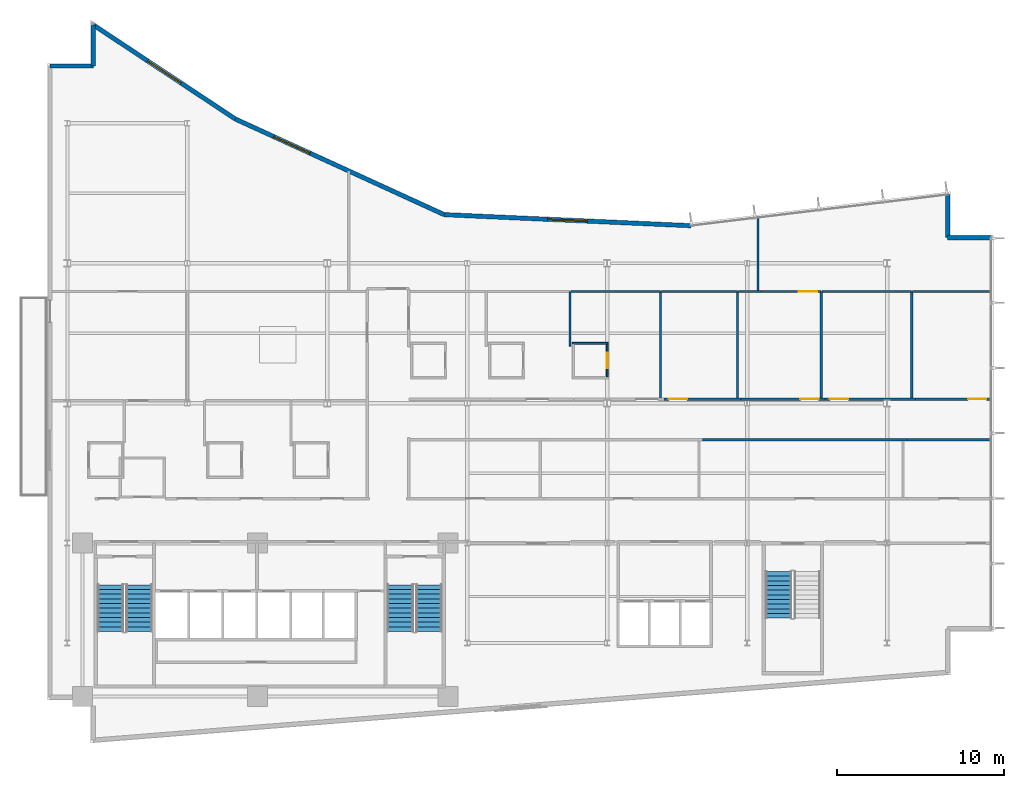
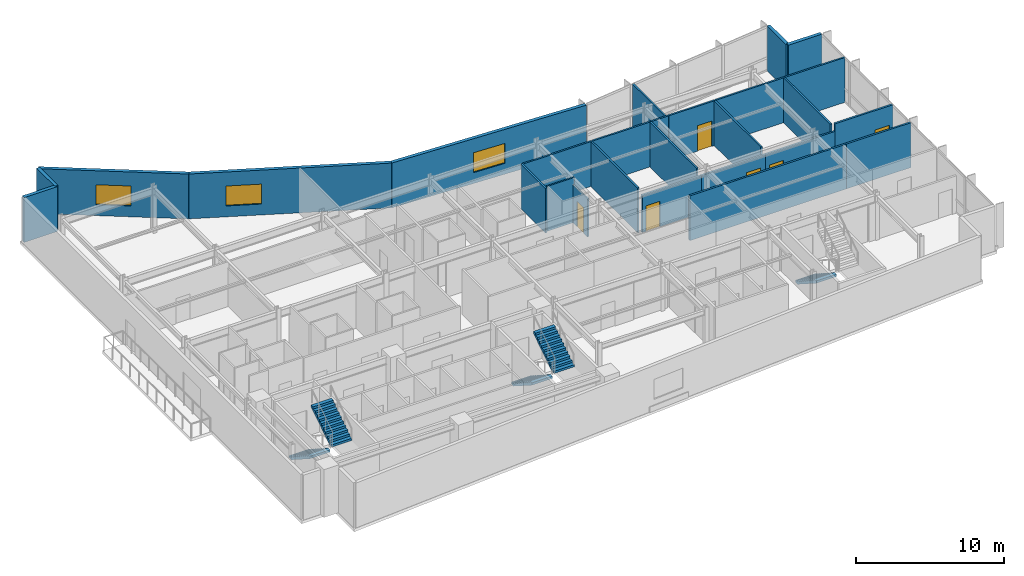
# One storey, part 13 of 19: 27 walls, 6 doors, 5 stair flights, 3 windows, 9 openings, 3 elements without a shape of their own.
"""IFC4 building model written with IfcOpenShell, lengths in metres."""

from ifc_helpers import new_model, si_unit, direction, frame, frame_2d, origin, place, context, subcontext, project, spatial, polyline, rectangle, outline, extrude, material, layer, layer_set, type_object, element, fill, aggregate, save


model = new_model("IFC4")

# Units and contexts
model_context = context("Model", 3, precision=1e-05, world=origin(), true_north=direction((0.0, 1.0)))
body_context = subcontext(model_context, "Body", "Model", "MODEL_VIEW")
ifc_project = project(units=[si_unit("LENGTHUNIT", "METRE"), si_unit("AREAUNIT", "SQUARE_METRE"), si_unit("VOLUMEUNIT", "CUBIC_METRE"), si_unit("PLANEANGLEUNIT", "RADIAN"), si_unit("MASSUNIT", "GRAM", prefix="KILO")], contexts=[model_context])

# Site, building, storey
site_placement = place(None, origin())
site = spatial("IfcSite", under=ifc_project, at=site_placement, CompositionType="ELEMENT")
building_placement = place(site_placement, origin())
building = spatial("IfcBuilding", under=site, at=building_placement, Name="Varnakote Quay Hospital", CompositionType="ELEMENT")
storey_placement = place(building_placement, frame((0.0, 0.0, 115.199951171875)))
storey = spatial("IfcBuildingStorey", under=building, at=storey_placement, Name="L28", CompositionType="ELEMENT", Elevation=115.199951171875)

# Wall
ifc_material_1 = material(Name="Moisture-resistant bathroom partition", Category="gypsum")
ifc_layer_1 = layer(ifc_material_1, 0.114990234375)
ifc_layer_set_1 = layer_set([ifc_layer_1], Name="Moisture-resistant bathroom partition")
wall_type_1 = type_object("IfcWallType", Name="WL-ENS-115", PredefinedType="PARTITIONING", material=ifc_layer_set_1)
wall_1_placement = place(storey_placement, frame((31.514892578125, 23.987548828125, 0.0), z_axis=(0.0, 0.0, 1.0), x_axis=(1.0, 0.0, 0.0)))
element("IfcWall", 1, at=wall_1_placement, inside=storey, type_object=wall_type_1, Name="L28 Inpatient En-Suite Bathroom 06 N Wall", PredefinedType="PARTITIONING", context=body_context, shape_type="SweptSolid", body=[
    extrude(rectangle(XDim=2.150146484375, YDim=0.114990234375, at=frame_2d((1.0751953125, 0.0))), origin(), (0.0, 0.0, 1.0), 3.7099609375),
])

# Wall, opening, door
wall_2_placement = place(storey_placement, frame((33.607421875, 21.97998046875, 0.0), z_axis=(0.0, 0.0, 1.0), x_axis=(0.0, 1.0, 0.0)))
wall_2 = element("IfcWall", 2, at=wall_2_placement, inside=storey, type_object=wall_type_1, Name="L28 Inpatient En-Suite Bathroom 06 E Wall", PredefinedType="PARTITIONING", context=body_context, shape_type="SweptSolid", body=[
    extrude(rectangle(XDim=1.949951171875, YDim=0.114990234375, at=frame_2d((0.97509765625, 0.0))), origin(), (0.0, 0.0, 1.0), 3.152099609375),
])
opening_1_placement = place(wall_2_placement, frame((0.514892578125, 0.0, 0.0)))
opening_1 = element("IfcOpeningElement", 3, at=opening_1_placement, cuts=wall_2, Name="Opening D-L28-ENS06", PredefinedType="OPENING", context=body_context, shape_type="SweptSolid", body=[
    extrude(rectangle(XDim=0.919921875, YDim=2.10009765625, at=frame_2d((0.4599609375, 1.050048828125))), frame((0.0, 0.0673828125, 0.0), z_axis=(0.0, -1.0, 0.0), x_axis=(1.0, 0.0, 0.0)), (0.0, 0.0, 1.0), 0.135009765625),
])
ifc_material_2 = material(Name="Moisture-sealed en-suite bathroom door")
door_type_1 = type_object("IfcDoorType", Name="DR-ENS-920x2100", OperationType="NOTDEFINED", PredefinedType="DOOR", material=ifc_material_2)
door_1_placement = place(opening_1_placement, origin())
door_1 = element("IfcDoor", 4, at=door_1_placement, inside=storey, type_object=door_type_1, Name="L28 Inpatient En-Suite Bathroom 06 Door", OperationType="SINGLE_SWING_RIGHT", OverallHeight=2.10009765625, OverallWidth=0.919921875, PredefinedType="DOOR", context=body_context, shape_type="SweptSolid", body=[
    extrude(rectangle(XDim=0.919921875, YDim=2.10009765625, at=frame_2d((0.4599609375, 1.050048828125))), frame((0.0, 0.02490234375, 0.0), z_axis=(0.0, -1.0, 0.0), x_axis=(1.0, 0.0, 0.0)), (0.0, 0.0, 1.0), 0.050048828125),
])
fill(opening_1, door_1)

# Walls
ifc_material_3 = material(Name="Precast concrete N50 (f'c 50 MPa)", Category="concrete")
ifc_layer_2 = layer(ifc_material_3, 0.260009765625)
ifc_layer_set_2 = layer_set([ifc_layer_2], Name="Precast concrete N50 (f'c 50 MPa)")
wall_type_2 = type_object("IfcWallType", Name="WL-EXT-BRICK-260", PredefinedType="STANDARD", material=ifc_layer_set_2)
wall_3_placement = place(storey_placement, frame((56.639892578125, 30.340087890625, 0.0), z_axis=(0.0, 0.0, 1.0), x_axis=(-1.0, 0.0, 0.0)))
element("IfcWall", 5, at=wall_3_placement, inside=storey, type_object=wall_type_2, Name="L28 Brick-Faced Precast Exterior Wall", PredefinedType="STANDARD", context=body_context, shape_type="SweptSolid", body=[
    extrude(rectangle(XDim=2.599853515625, YDim=0.260009765625, at=frame_2d((1.2998046875, 0.0))), origin(), (0.0, 0.0, 1.0), 3.7099609375),
])
wall_4_placement = place(storey_placement, frame((54.0400390625, 30.340087890625, 0.0), z_axis=(0.0, 0.0, 1.0), x_axis=(0.0, 1.0, 0.0)))
element("IfcWall", 6, at=wall_4_placement, inside=storey, type_object=wall_type_2, Name="L28 Brick-Faced Precast Exterior Wall", PredefinedType="STANDARD", context=body_context, shape_type="SweptSolid", body=[
    extrude(rectangle(XDim=2.579345703125, YDim=0.260009765625, at=frame_2d((1.28955078125, 0.0))), origin(), (0.0, 0.0, 1.0), 3.7099609375),
])

# Wall, opening, window
wall_5_placement = place(storey_placement, frame((38.630126953125, 31.051513671875, 0.0), z_axis=(0.0, 0.0, 1.0), x_axis=(-0.998996592956, 0.044786239663, 0.0)))
wall_5 = element("IfcWall", 7, at=wall_5_placement, inside=storey, type_object=wall_type_2, Name="L28 Brick-Faced Precast Exterior Wall", PredefinedType="STANDARD", context=body_context, shape_type="SweptSolid", body=[
    extrude(rectangle(XDim=14.827392578125, YDim=0.260009765625, at=frame_2d((7.41357421875, 0.0))), origin(), (0.0, 0.0, 1.0), 3.7099609375),
])
opening_2_placement = place(wall_5_placement, frame((6.213623046875, 0.0, 0.89990234375)))
opening_2 = element("IfcOpeningElement", 8, at=opening_2_placement, cuts=wall_5, Name="Opening WN-0123", PredefinedType="OPENING", context=body_context, shape_type="SweptSolid", body=[
    extrude(rectangle(XDim=2.39990234375, YDim=1.64990234375, at=frame_2d((1.199951171875, 0.824951171875))), frame((0.0, 0.139892578125, 0.0), z_axis=(0.0, -1.0, 0.0), x_axis=(1.0, 0.0, 0.0)), (0.0, 0.0, 1.0), 0.280029296875),
])
ifc_material_4 = material(Name="Double-glazed low-E solar glass", Category="glass")
window_type = type_object("IfcWindowType", Name="WIN-CLIN-2400x1650", PartitioningType="SINGLE_PANEL", PredefinedType="WINDOW", material=ifc_material_4)
window_1_placement = place(opening_2_placement, origin())
window_1 = element("IfcWindow", 9, at=window_1_placement, inside=storey, type_object=window_type, Name="L28 Solar-Control Clinical Window", OverallHeight=1.64990234375, OverallWidth=2.39990234375, PartitioningType="SINGLE_PANEL", PredefinedType="WINDOW", context=body_context, shape_type="SweptSolid", body=[
    extrude(rectangle(XDim=2.39990234375, YDim=1.64990234375, at=frame_2d((1.199951171875, 0.824951171875))), frame((0.0, 0.030029296875, 0.0), z_axis=(0.0, -1.0, 0.0), x_axis=(1.0, 0.0, 0.0)), (0.0, 0.0, 1.0), 0.06005859375),
])
fill(opening_2, window_1)

wall_6_placement = place(storey_placement, frame((23.817626953125, 31.715576171875, 0.0), z_axis=(0.0, 0.0, 1.0), x_axis=(-0.909209527513, 0.416338846471, 0.0)))
wall_6 = element("IfcWall", 10, at=wall_6_placement, inside=storey, type_object=wall_type_2, Name="L28 Brick-Faced Precast Exterior Wall", PredefinedType="STANDARD", context=body_context, shape_type="SweptSolid", body=[
    extrude(rectangle(XDim=13.787353515625, YDim=0.260009765625, at=frame_2d((6.8935546875, 0.0))), origin(), (0.0, 0.0, 1.0), 3.7099609375),
])
opening_3_placement = place(wall_6_placement, frame((8.853515625, 0.0, 0.89990234375)))
opening_3 = element("IfcOpeningElement", 11, at=opening_3_placement, cuts=wall_6, Name="Opening WN-0124", PredefinedType="OPENING", context=body_context, shape_type="SweptSolid", body=[
    extrude(rectangle(XDim=2.39990234375, YDim=1.64990234375, at=frame_2d((1.199951171875, 0.824951171875))), frame((0.0, 0.139892578125, 0.0), z_axis=(0.0, -1.0, 0.0), x_axis=(1.0, 0.0, 0.0)), (0.0, 0.0, 1.0), 0.280029296875),
])
window_2_placement = place(opening_3_placement, origin())
window_2 = element("IfcWindow", 12, at=window_2_placement, inside=storey, type_object=window_type, Name="L28 Solar-Control Clinical Window", OverallHeight=1.64990234375, OverallWidth=2.39990234375, PartitioningType="SINGLE_PANEL", PredefinedType="WINDOW", context=body_context, shape_type="SweptSolid", body=[
    extrude(rectangle(XDim=2.39990234375, YDim=1.64990234375, at=frame_2d((1.199951171875, 0.824951171875))), frame((0.0, 0.030029296875, 0.0), z_axis=(0.0, -1.0, 0.0), x_axis=(1.0, 0.0, 0.0)), (0.0, 0.0, 1.0), 0.06005859375),
])
fill(opening_3, window_2)

wall_7_placement = place(storey_placement, frame((11.281982421875, 37.455810546875, 0.0), z_axis=(0.0, 0.0, 1.0), x_axis=(-0.833630474253, 0.552322580017, 0.0)))
wall_7 = element("IfcWall", 13, at=wall_7_placement, inside=storey, type_object=wall_type_2, Name="L28 Brick-Faced Precast Exterior Wall", PredefinedType="STANDARD", context=body_context, shape_type="SweptSolid", body=[
    extrude(rectangle(XDim=10.22265625, YDim=0.260009765625, at=frame_2d((5.111328125, 0.0))), origin(), (0.0, 0.0, 1.0), 3.7099609375),
])
opening_4_placement = place(wall_7_placement, frame((3.911376953125, 0.0, 0.89990234375)))
opening_4 = element("IfcOpeningElement", 14, at=opening_4_placement, cuts=wall_7, Name="Opening WN-0125", PredefinedType="OPENING", context=body_context, shape_type="SweptSolid", body=[
    extrude(rectangle(XDim=2.39990234375, YDim=1.64990234375, at=frame_2d((1.199951171875, 0.824951171875))), frame((0.0, 0.139892578125, 0.0), z_axis=(0.0, -1.0, 0.0), x_axis=(1.0, 0.0, 0.0)), (0.0, 0.0, 1.0), 0.280029296875),
])
window_3_placement = place(opening_4_placement, origin())
window_3 = element("IfcWindow", 15, at=window_3_placement, inside=storey, type_object=window_type, Name="L28 Solar-Control Clinical Window", OverallHeight=1.64990234375, OverallWidth=2.39990234375, PartitioningType="SINGLE_PANEL", PredefinedType="WINDOW", context=body_context, shape_type="SweptSolid", body=[
    extrude(rectangle(XDim=2.39990234375, YDim=1.64990234375, at=frame_2d((1.199951171875, 0.824951171875))), frame((0.0, 0.030029296875, 0.0), z_axis=(0.0, -1.0, 0.0), x_axis=(1.0, 0.0, 0.0)), (0.0, 0.0, 1.0), 0.06005859375),
])
fill(opening_4, window_3)

# Walls
wall_8_placement = place(storey_placement, frame((2.760009765625, 43.10205078125, 0.0), z_axis=(0.0, 0.0, 1.0), x_axis=(0.0, -1.0, 0.0)))
element("IfcWall", 16, at=wall_8_placement, inside=storey, type_object=wall_type_2, Name="L28 Brick-Faced Precast Exterior Wall", PredefinedType="STANDARD", context=body_context, shape_type="SweptSolid", body=[
    extrude(rectangle(XDim=2.462158203125, YDim=0.260009765625, at=frame_2d((1.23095703125, 0.0))), origin(), (0.0, 0.0, 1.0), 3.7099609375),
])
wall_9_placement = place(storey_placement, frame((2.760009765625, 40.639892578125, 0.0), z_axis=(0.0, 0.0, 1.0), x_axis=(-1.0, 0.0, 0.0)))
element("IfcWall", 17, at=wall_9_placement, inside=storey, type_object=wall_type_2, Name="L28 Brick-Faced Precast Exterior Wall", PredefinedType="STANDARD", context=body_context, shape_type="SweptSolid", body=[
    extrude(rectangle(XDim=2.60009765625, YDim=0.260009765625, at=frame_2d((1.300048828125, 0.0))), origin(), (0.0, 0.0, 1.0), 3.7099609375),
])
ifc_material_5 = material(Name="Smoke-proof clinical partition", Category="gypsum")
ifc_layer_3 = layer(ifc_material_5, 0.135009765625)
ifc_layer_set_3 = layer_set([ifc_layer_3], Name="Smoke-proof clinical partition")
wall_type_3 = type_object("IfcWallType", Name="WL-SMOKE-135", PredefinedType="PARTITIONING", material=ifc_layer_set_3)
wall_10_placement = place(storey_placement, frame((31.3701171875, 23.802490234375, 0.0), z_axis=(0.0, 0.0, 1.0), x_axis=(0.0, 1.0, 0.0)))
element("IfcWall", 18, at=wall_10_placement, inside=storey, type_object=wall_type_3, Name="L28 Clinical Interior Partition", PredefinedType="PARTITIONING", context=body_context, shape_type="SweptSolid", body=[
    extrude(rectangle(XDim=3.297607421875, YDim=0.135009765625, at=frame_2d((1.64892578125, 0.0))), origin(), (0.0, 0.0, 1.0), 3.7099609375),
])
wall_11_placement = place(storey_placement, frame((36.800048828125, 20.715087890625, 0.0), z_axis=(0.0, 0.0, 1.0), x_axis=(0.0, 1.0, 0.0)))
element("IfcWall", 19, at=wall_11_placement, inside=storey, type_object=wall_type_3, Name="L28 Clinical Interior Partition", PredefinedType="PARTITIONING", context=body_context, shape_type="SweptSolid", body=[
    extrude(rectangle(XDim=6.385009765625, YDim=0.135009765625, at=frame_2d((3.1923828125, 0.0))), origin(), (0.0, 0.0, 1.0), 3.7099609375),
])
wall_12_placement = place(storey_placement, frame((36.800048828125, 27.10009765625, 0.0), z_axis=(0.0, 0.0, 1.0), x_axis=(-1.0, 0.0, 0.0)))
element("IfcWall", 20, at=wall_12_placement, inside=storey, type_object=wall_type_3, Name="L28 Clinical Interior Partition", PredefinedType="PARTITIONING", context=body_context, shape_type="SweptSolid", body=[
    extrude(rectangle(XDim=5.37255859375, YDim=0.135009765625, at=frame_2d((2.686279296875, 0.0))), origin(), (0.0, 0.0, 1.0), 3.7099609375),
])
wall_13_placement = place(storey_placement, frame((41.419921875, 20.715087890625, 0.0), z_axis=(0.0, 0.0, 1.0), x_axis=(0.0, 1.0, 0.0)))
element("IfcWall", 21, at=wall_13_placement, inside=storey, type_object=wall_type_3, Name="L28 Clinical Interior Partition", PredefinedType="PARTITIONING", context=body_context, shape_type="SweptSolid", body=[
    extrude(rectangle(XDim=6.385009765625, YDim=0.135009765625, at=frame_2d((3.1923828125, 0.0))), origin(), (0.0, 0.0, 1.0), 3.7099609375),
])
wall_14_placement = place(storey_placement, frame((41.419921875, 27.10009765625, 0.0), z_axis=(0.0, 0.0, 1.0), x_axis=(-1.0, 0.0, 0.0)))
element("IfcWall", 22, at=wall_14_placement, inside=storey, type_object=wall_type_3, Name="L28 Clinical Interior Partition", PredefinedType="PARTITIONING", context=body_context, shape_type="SweptSolid", body=[
    extrude(rectangle(XDim=4.5625, YDim=0.135009765625, at=frame_2d((2.28125, 0.0))), origin(), (0.0, 0.0, 1.0), 3.7099609375),
])
wall_15_placement = place(storey_placement, frame((46.449951171875, 20.715087890625, 0.0), z_axis=(0.0, 0.0, 1.0), x_axis=(0.0, 1.0, 0.0)))
element("IfcWall", 23, at=wall_15_placement, inside=storey, type_object=wall_type_3, Name="L28 Clinical Interior Partition", PredefinedType="PARTITIONING", context=body_context, shape_type="SweptSolid", body=[
    extrude(rectangle(XDim=6.385009765625, YDim=0.135009765625, at=frame_2d((3.1923828125, 0.0))), origin(), (0.0, 0.0, 1.0), 3.7099609375),
])
wall_16_placement = place(storey_placement, frame((42.82861328125, 27.10009765625, 0.0), z_axis=(0.0, 0.0, 1.0), x_axis=(-1.0, 0.0, 0.0)))
element("IfcWall", 24, at=wall_16_placement, inside=storey, type_object=wall_type_3, Name="L28 Clinical Interior Partition", PredefinedType="PARTITIONING", context=body_context, shape_type="SweptSolid", body=[
    extrude(rectangle(XDim=1.35107421875, YDim=0.135009765625, at=frame_2d((0.675537109375, 0.0))), origin(), (0.0, 0.0, 1.0), 3.7099609375),
])

# Wall, opening, door
wall_17_placement = place(storey_placement, frame((46.449951171875, 27.10009765625, 0.0), z_axis=(0.0, 0.0, 1.0), x_axis=(-1.0, 0.0, 0.0)))
wall_17 = element("IfcWall", 25, at=wall_17_placement, inside=storey, type_object=wall_type_3, Name="L28 Clinical Interior Partition", PredefinedType="PARTITIONING", context=body_context, shape_type="SweptSolid", body=[
    extrude(rectangle(XDim=3.619384765625, YDim=0.135009765625, at=frame_2d((1.8095703125, 0.0))), origin(), (0.0, 0.0, 1.0), 3.7099609375),
])
opening_5_placement = place(wall_17_placement, frame((0.2529296875, 0.0, 0.0)))
opening_5 = element("IfcOpeningElement", 26, at=opening_5_placement, cuts=wall_17, Name="Opening D-L28-MD13", PredefinedType="OPENING", context=body_context, shape_type="SweptSolid", body=[
    extrude(rectangle(XDim=1.10009765625, YDim=2.10009765625, at=frame_2d((0.550048828125, 1.050048828125))), frame((0.0, 0.077392578125, 0.0), z_axis=(0.0, -1.0, 0.0), x_axis=(1.0, 0.0, 0.0)), (0.0, 0.0, 1.0), 0.155029296875),
])
ifc_material_6 = material(Name="Acoustic timber clinical consult door", Category="wood")
door_type_2 = type_object("IfcDoorType", Name="DR-CLIN-FD30S-1100x2100", OperationType="NOTDEFINED", PredefinedType="DOOR", material=ifc_material_6)
door_2_placement = place(opening_5_placement, origin())
door_2 = element("IfcDoor", 27, at=door_2_placement, inside=storey, type_object=door_type_2, Name="L28 Ward Nurse Station Office Door", OperationType="SINGLE_SWING_RIGHT", OverallHeight=2.10009765625, OverallWidth=1.10009765625, PredefinedType="DOOR", context=body_context, shape_type="SweptSolid", body=[
    extrude(rectangle(XDim=1.10009765625, YDim=2.10009765625, at=frame_2d((0.550048828125, 1.050048828125))), frame((0.0, 0.02490234375, 0.0), z_axis=(0.0, -1.0, 0.0), x_axis=(1.0, 0.0, 0.0)), (0.0, 0.0, 1.0), 0.050048828125),
])
fill(opening_5, door_2)

# Walls
wall_18_placement = place(storey_placement, frame((51.8798828125, 20.715087890625, 0.0), z_axis=(0.0, 0.0, 1.0), x_axis=(0.0, 1.0, 0.0)))
element("IfcWall", 28, at=wall_18_placement, inside=storey, type_object=wall_type_3, Name="L28 Clinical Interior Partition", PredefinedType="PARTITIONING", context=body_context, shape_type="SweptSolid", body=[
    extrude(rectangle(XDim=6.385009765625, YDim=0.135009765625, at=frame_2d((3.1923828125, 0.0))), origin(), (0.0, 0.0, 1.0), 3.7099609375),
])
wall_19_placement = place(storey_placement, frame((51.8798828125, 27.10009765625, 0.0), z_axis=(0.0, 0.0, 1.0), x_axis=(-1.0, 0.0, 0.0)))
element("IfcWall", 29, at=wall_19_placement, inside=storey, type_object=wall_type_3, Name="L28 Clinical Interior Partition", PredefinedType="PARTITIONING", context=body_context, shape_type="SweptSolid", body=[
    extrude(rectangle(XDim=5.372314453125, YDim=0.135009765625, at=frame_2d((2.68603515625, 0.0))), origin(), (0.0, 0.0, 1.0), 3.7099609375),
])
wall_20_placement = place(storey_placement, frame((56.639892578125, 27.10009765625, 0.0), z_axis=(0.0, 0.0, 1.0), x_axis=(-1.0, 0.0, 0.0)))
element("IfcWall", 30, at=wall_20_placement, inside=storey, type_object=wall_type_3, Name="L28 Clinical Interior Partition", PredefinedType="PARTITIONING", context=body_context, shape_type="SweptSolid", body=[
    extrude(rectangle(XDim=4.702392578125, YDim=0.135009765625, at=frame_2d((2.35107421875, 0.0))), origin(), (0.0, 0.0, 1.0), 3.7099609375),
])
wall_21_placement = place(storey_placement, frame((42.64990234375, 27.157470703125, 0.0), z_axis=(0.0, 0.0, 1.0), x_axis=(0.0, 1.0, 0.0)))
element("IfcWall", 31, at=wall_21_placement, inside=storey, type_object=wall_type_3, Name="L28 Clinical Interior Partition", PredefinedType="PARTITIONING", context=body_context, shape_type="SweptSolid", body=[
    extrude(rectangle(XDim=4.38134765625, YDim=0.135009765625, at=frame_2d((2.190673828125, 0.0))), origin(), (0.0, 0.0, 1.0), 3.7099609375),
])
ifc_material_7 = material(Name="Fire-rated clinical gypsum partition", Category="gypsum")
ifc_layer_4 = layer(ifc_material_7, 0.14990234375)
ifc_layer_set_4 = layer_set([ifc_layer_4], Name="Fire-rated clinical gypsum partition")
wall_type_4 = type_object("IfcWallType", Name="WL-WARD-150", PredefinedType="PARTITIONING", material=ifc_layer_set_4)
wall_22_placement = place(storey_placement, frame((39.337890625, 18.199951171875, 0.0), z_axis=(0.0, 0.0, 1.0), x_axis=(1.0, 0.0, 0.0)))
element("IfcWall", 32, at=wall_22_placement, inside=storey, type_object=wall_type_4, Name="L28 Clinical Interior Partition", PredefinedType="PARTITIONING", context=body_context, shape_type="SweptSolid", body=[
    extrude(rectangle(XDim=12.248046875, YDim=0.14990234375, at=frame_2d((6.1240234375, 0.0))), origin(), (0.0, 0.0, 1.0), 3.7099609375),
])
wall_23_placement = place(storey_placement, frame((51.587890625, 18.199951171875, 0.0), z_axis=(0.0, 0.0, 1.0), x_axis=(1.0, 0.0, 0.0)))
element("IfcWall", 33, at=wall_23_placement, inside=storey, type_object=wall_type_4, Name="L28 Clinical Interior Partition", PredefinedType="PARTITIONING", context=body_context, shape_type="SweptSolid", body=[
    extrude(rectangle(XDim=5.052001953125, YDim=0.14990234375, at=frame_2d((2.52587890625, 0.0))), origin(), (0.0, 0.0, 1.0), 3.7099609375),
])

# Wall, opening, door
wall_24_placement = place(storey_placement, frame((41.64599609375, 20.64990234375, 0.0), z_axis=(0.0, 0.0, 1.0), x_axis=(-1.0, 0.0, 0.0)))
wall_24 = element("IfcWall", 34, at=wall_24_placement, inside=storey, type_object=wall_type_4, Name="L28 Clinical Interior Partition", PredefinedType="PARTITIONING", context=body_context, shape_type="SweptSolid", body=[
    extrude(rectangle(XDim=4.617919921875, YDim=0.14990234375, at=frame_2d((2.30908203125, 0.0))), origin(), (0.0, 0.0, 1.0), 3.0830078125),
])
opening_6_placement = place(wall_24_placement, frame((3.239990234375, 0.0, 0.0)))
opening_6 = element("IfcOpeningElement", 35, at=opening_6_placement, cuts=wall_24, Name="Opening D-L28-MD07", PredefinedType="OPENING", context=body_context, shape_type="SweptSolid", body=[
    extrude(rectangle(XDim=1.10009765625, YDim=2.10009765625, at=frame_2d((0.550048828125, 1.050048828125))), frame((0.0, 0.0849609375, 0.0), z_axis=(0.0, -1.0, 0.0), x_axis=(1.0, 0.0, 0.0)), (0.0, 0.0, 1.0), 0.169921875),
])
door_3_placement = place(opening_6_placement, origin())
door_3 = element("IfcDoor", 36, at=door_3_placement, inside=storey, type_object=door_type_2, Name="L28 Perinatal Clinical Consultation Suite Door", OperationType="SINGLE_SWING_RIGHT", OverallHeight=2.10009765625, OverallWidth=1.10009765625, PredefinedType="DOOR", context=body_context, shape_type="SweptSolid", body=[
    extrude(rectangle(XDim=1.10009765625, YDim=2.10009765625, at=frame_2d((0.550048828125, 1.050048828125))), frame((0.0, 0.02490234375, 0.0), z_axis=(0.0, -1.0, 0.0), x_axis=(1.0, 0.0, 0.0)), (0.0, 0.0, 1.0), 0.050048828125),
])
fill(opening_6, door_3)

wall_25_placement = place(storey_placement, frame((46.676025390625, 20.64990234375, 0.0), z_axis=(0.0, 0.0, 1.0), x_axis=(-1.0, 0.0, 0.0)))
wall_25 = element("IfcWall", 37, at=wall_25_placement, inside=storey, type_object=wall_type_4, Name="L28 Clinical Interior Partition", PredefinedType="PARTITIONING", context=body_context, shape_type="SweptSolid", body=[
    extrude(rectangle(XDim=5.028076171875, YDim=0.14990234375, at=frame_2d((2.51416015625, 0.0))), origin(), (0.0, 0.0, 1.0), 3.0830078125),
])
opening_7_placement = place(wall_25_placement, frame((0.37646484375, 0.0, 0.0)))
opening_7 = element("IfcOpeningElement", 38, at=opening_7_placement, cuts=wall_25, Name="Opening D-L28-MD08", PredefinedType="OPENING", context=body_context, shape_type="SweptSolid", body=[
    extrude(rectangle(XDim=1.10009765625, YDim=2.10009765625, at=frame_2d((0.550048828125, 1.050048828125))), frame((0.0, 0.0849609375, 0.0), z_axis=(0.0, -1.0, 0.0), x_axis=(1.0, 0.0, 0.0)), (0.0, 0.0, 1.0), 0.169921875),
])
door_4_placement = place(opening_7_placement, origin())
door_4 = element("IfcDoor", 39, at=door_4_placement, inside=storey, type_object=door_type_2, Name="L28 Ward Beverage Pantry Door", OperationType="SINGLE_SWING_LEFT", OverallHeight=2.10009765625, OverallWidth=1.10009765625, PredefinedType="DOOR", context=body_context, shape_type="SweptSolid", body=[
    extrude(rectangle(XDim=1.10009765625, YDim=2.10009765625, at=frame_2d((0.550048828125, 1.050048828125))), frame((0.0, 0.02490234375, 0.0), z_axis=(0.0, -1.0, 0.0), x_axis=(1.0, 0.0, 0.0)), (0.0, 0.0, 1.0), 0.050048828125),
])
fill(opening_7, door_4)

wall_26_placement = place(storey_placement, frame((52.10595703125, 20.64990234375, 0.0), z_axis=(0.0, 0.0, 1.0), x_axis=(-1.0, 0.0, 0.0)))
wall_26 = element("IfcWall", 40, at=wall_26_placement, inside=storey, type_object=wall_type_4, Name="L28 Clinical Interior Partition", PredefinedType="PARTITIONING", context=body_context, shape_type="SweptSolid", body=[
    extrude(rectangle(XDim=5.427978515625, YDim=0.14990234375, at=frame_2d((2.7138671875, 0.0))), origin(), (0.0, 0.0, 1.0), 3.0830078125),
])
opening_8_placement = place(wall_26_placement, frame((4.02978515625, 0.0, 0.0)))
opening_8 = element("IfcOpeningElement", 41, at=opening_8_placement, cuts=wall_26, Name="Opening D-L28-MD09", PredefinedType="OPENING", context=body_context, shape_type="SweptSolid", body=[
    extrude(rectangle(XDim=1.10009765625, YDim=2.10009765625, at=frame_2d((0.550048828125, 1.050048828125))), frame((0.0, 0.0849609375, 0.0), z_axis=(0.0, -1.0, 0.0), x_axis=(1.0, 0.0, 0.0)), (0.0, 0.0, 1.0), 0.169921875),
])
door_5_placement = place(opening_8_placement, origin())
door_5 = element("IfcDoor", 42, at=door_5_placement, inside=storey, type_object=door_type_2, Name="L28 Ward Nurse Station Office Door", OperationType="SINGLE_SWING_RIGHT", OverallHeight=2.10009765625, OverallWidth=1.10009765625, PredefinedType="DOOR", context=body_context, shape_type="SweptSolid", body=[
    extrude(rectangle(XDim=1.10009765625, YDim=2.10009765625, at=frame_2d((0.550048828125, 1.050048828125))), frame((0.0, 0.02490234375, 0.0), z_axis=(0.0, -1.0, 0.0), x_axis=(1.0, 0.0, 0.0)), (0.0, 0.0, 1.0), 0.050048828125),
])
fill(opening_8, door_5)

wall_27_placement = place(storey_placement, frame((56.639892578125, 20.64990234375, 0.0), z_axis=(0.0, 0.0, 1.0), x_axis=(-1.0, 0.0, 0.0)))
wall_27 = element("IfcWall", 43, at=wall_27_placement, inside=storey, type_object=wall_type_4, Name="L28 Clinical Interior Partition", PredefinedType="PARTITIONING", context=body_context, shape_type="SweptSolid", body=[
    extrude(rectangle(XDim=4.531982421875, YDim=0.14990234375, at=frame_2d((2.26611328125, 0.0))), origin(), (0.0, 0.0, 1.0), 3.7099609375),
])
opening_9_placement = place(wall_27_placement, frame((0.27587890625, 0.0, 0.0)))
opening_9 = element("IfcOpeningElement", 44, at=opening_9_placement, cuts=wall_27, Name="Opening D-L28-MD10", PredefinedType="OPENING", context=body_context, shape_type="SweptSolid", body=[
    extrude(rectangle(XDim=1.10009765625, YDim=2.10009765625, at=frame_2d((0.550048828125, 1.050048828125))), frame((0.0, 0.0849609375, 0.0), z_axis=(0.0, -1.0, 0.0), x_axis=(1.0, 0.0, 0.0)), (0.0, 0.0, 1.0), 0.169921875),
])
door_6_placement = place(opening_9_placement, origin())
door_6 = element("IfcDoor", 45, at=door_6_placement, inside=storey, type_object=door_type_2, Name="L28 Specialty Ward Treatment Suite Door", OperationType="SINGLE_SWING_LEFT", OverallHeight=2.10009765625, OverallWidth=1.10009765625, PredefinedType="DOOR", context=body_context, shape_type="SweptSolid", body=[
    extrude(rectangle(XDim=1.10009765625, YDim=2.10009765625, at=frame_2d((0.550048828125, 1.050048828125))), frame((0.0, 0.02490234375, 0.0), z_axis=(0.0, -1.0, 0.0), x_axis=(1.0, 0.0, 0.0)), (0.0, 0.0, 1.0), 0.050048828125),
])
fill(opening_9, door_6)

# Stair, stair flights
ifc_material_8 = material(Name="Concrete N40 (f'c 40 MPa)", Category="concrete")
stair_type = type_object("IfcStairType", Name="STR-CORE-1580", PredefinedType="HALF_TURN_STAIR", material=ifc_material_8)
stair_1_placement = place(storey_placement, origin())
stair_1 = element("IfcStair", 46, at=stair_1_placement, inside=storey, type_object=stair_type, Name="L28 Fire-Isolated Exit Stair ST-01", PredefinedType="HALF_TURN_STAIR")
ifc_material_9 = material(Name="Concrete N40 (f'c 40 MPa)", Category="concrete")
ifc_layer_5 = layer(ifc_material_9, 0.159912109375)
ifc_layer_set_5 = layer_set([ifc_layer_5], Name="Concrete N40 (f'c 40 MPa)")
stair_flight_type = type_object("IfcStairFlightType", Name="FLT-CORE-1580", PredefinedType="STRAIGHT", material=ifc_layer_set_5)
stair_flight_1_placement = place(storey_placement, frame((3.7900390625, 9.5, 0.0), z_axis=(0.0, 0.0, 1.0), x_axis=(0.0, -1.0, 0.0)))
stair_flight_1 = element("IfcStairFlight", 47, at=stair_flight_1_placement, type_object=stair_flight_type, Name="ST-01 flight 1", NumberOfRisers=11, NumberOfTreads=10, PredefinedType="STRAIGHT", RiserHeight=0.179545455, TreadLength=0.28, context=body_context, shape_type="SweptSolid", body=[
    extrude(outline(polyline([(0.0, 0.0), (0.0, 0.179443359375), (0.280029296875, 0.179443359375), (0.280029296875, 0.359130859375), (0.56005859375, 0.359130859375), (0.56005859375, 0.53857421875), (0.840087890625, 0.53857421875), (0.840087890625, 0.71826171875), (1.1201171875, 0.71826171875), (1.1201171875, 0.897705078125), (1.39990234375, 0.897705078125), (1.39990234375, 1.077392578125), (1.679931640625, 1.077392578125), (1.679931640625, 1.2568359375), (1.9599609375, 1.2568359375), (1.9599609375, 1.436279296875), (2.239990234375, 1.436279296875), (2.239990234375, 1.615966796875), (2.52001953125, 1.615966796875), (2.52001953125, 1.79541015625), (2.800048828125, 1.79541015625), (2.800048828125, 1.97509765625), (2.800048828125, 1.60546875), (0.296142578125, 0.0), (0.0, 0.0)])), frame((0.0, 0.7900390625, 0.0), z_axis=(0.0, -1.0, 0.0), x_axis=(1.0, 0.0, 0.0)), (0.0, 0.0, 1.0), 1.580078125),
])
stair_flight_2_placement = place(storey_placement, frame((5.510009765625, 6.699951171875, 1.97509765625), z_axis=(0.0, 0.0, 1.0), x_axis=(0.0, 1.0, 0.0)))
stair_flight_2 = element("IfcStairFlight", 48, at=stair_flight_2_placement, type_object=stair_flight_type, Name="ST-01 flight 2", NumberOfRisers=11, NumberOfTreads=10, PredefinedType="STRAIGHT", RiserHeight=0.179545455, TreadLength=0.28, context=body_context, shape_type="SweptSolid", body=[
    extrude(outline(polyline([(0.0, 0.0), (0.0, 0.179443359375), (0.280029296875, 0.179443359375), (0.280029296875, 0.359130859375), (0.56005859375, 0.359130859375), (0.56005859375, 0.53857421875), (0.840087890625, 0.53857421875), (0.840087890625, 0.71826171875), (1.1201171875, 0.71826171875), (1.1201171875, 0.897705078125), (1.39990234375, 0.897705078125), (1.39990234375, 1.077392578125), (1.679931640625, 1.077392578125), (1.679931640625, 1.2568359375), (1.9599609375, 1.2568359375), (1.9599609375, 1.436279296875), (2.239990234375, 1.436279296875), (2.239990234375, 1.615966796875), (2.52001953125, 1.615966796875), (2.52001953125, 1.79541015625), (2.800048828125, 1.79541015625), (2.800048828125, 1.97509765625), (2.800048828125, 1.60546875), (0.296142578125, 0.0), (0.0, 0.0)])), frame((0.0, 0.7900390625, 0.0), z_axis=(0.0, -1.0, 0.0), x_axis=(1.0, 0.0, 0.0)), (0.0, 0.0, 1.0), 1.580078125),
])
aggregate(stair_1, [stair_flight_1, stair_flight_2])

stair_2_placement = place(storey_placement, origin())
stair_2 = element("IfcStair", 49, at=stair_2_placement, inside=storey, type_object=stair_type, Name="L28 Fire-Isolated Exit Stair ST-02", PredefinedType="HALF_TURN_STAIR")
stair_flight_3_placement = place(storey_placement, frame((21.18994140625, 9.5, 0.0), z_axis=(0.0, 0.0, 1.0), x_axis=(0.0, -1.0, 0.0)))
stair_flight_3 = element("IfcStairFlight", 50, at=stair_flight_3_placement, type_object=stair_flight_type, Name="ST-02 flight 1", NumberOfRisers=11, NumberOfTreads=10, PredefinedType="STRAIGHT", RiserHeight=0.179545455, TreadLength=0.28, context=body_context, shape_type="SweptSolid", body=[
    extrude(outline(polyline([(0.0, 0.0), (0.0, 0.179443359375), (0.280029296875, 0.179443359375), (0.280029296875, 0.359130859375), (0.56005859375, 0.359130859375), (0.56005859375, 0.53857421875), (0.840087890625, 0.53857421875), (0.840087890625, 0.71826171875), (1.1201171875, 0.71826171875), (1.1201171875, 0.897705078125), (1.39990234375, 0.897705078125), (1.39990234375, 1.077392578125), (1.679931640625, 1.077392578125), (1.679931640625, 1.2568359375), (1.9599609375, 1.2568359375), (1.9599609375, 1.436279296875), (2.239990234375, 1.436279296875), (2.239990234375, 1.615966796875), (2.52001953125, 1.615966796875), (2.52001953125, 1.79541015625), (2.800048828125, 1.79541015625), (2.800048828125, 1.97509765625), (2.800048828125, 1.60546875), (0.296142578125, 0.0), (0.0, 0.0)])), frame((0.0, 0.7900390625, 0.0), z_axis=(0.0, -1.0, 0.0), x_axis=(1.0, 0.0, 0.0)), (0.0, 0.0, 1.0), 1.580078125),
])
stair_flight_4_placement = place(storey_placement, frame((22.909912109375, 6.699951171875, 1.97509765625), z_axis=(0.0, 0.0, 1.0), x_axis=(0.0, 1.0, 0.0)))
stair_flight_4 = element("IfcStairFlight", 51, at=stair_flight_4_placement, type_object=stair_flight_type, Name="ST-02 flight 2", NumberOfRisers=11, NumberOfTreads=10, PredefinedType="STRAIGHT", RiserHeight=0.179545455, TreadLength=0.28, context=body_context, shape_type="SweptSolid", body=[
    extrude(outline(polyline([(0.0, 0.0), (0.0, 0.179443359375), (0.280029296875, 0.179443359375), (0.280029296875, 0.359130859375), (0.56005859375, 0.359130859375), (0.56005859375, 0.53857421875), (0.840087890625, 0.53857421875), (0.840087890625, 0.71826171875), (1.1201171875, 0.71826171875), (1.1201171875, 0.897705078125), (1.39990234375, 0.897705078125), (1.39990234375, 1.077392578125), (1.679931640625, 1.077392578125), (1.679931640625, 1.2568359375), (1.9599609375, 1.2568359375), (1.9599609375, 1.436279296875), (2.239990234375, 1.436279296875), (2.239990234375, 1.615966796875), (2.52001953125, 1.615966796875), (2.52001953125, 1.79541015625), (2.800048828125, 1.79541015625), (2.800048828125, 1.97509765625), (2.800048828125, 1.60546875), (0.296142578125, 0.0), (0.0, 0.0)])), frame((0.0, 0.7900390625, 0.0), z_axis=(0.0, -1.0, 0.0), x_axis=(1.0, 0.0, 0.0)), (0.0, 0.0, 1.0), 1.580078125),
])
aggregate(stair_2, [stair_flight_3, stair_flight_4])

# Stair, stair flight
stair_3_placement = place(storey_placement, origin())
stair_3 = element("IfcStair", 52, at=stair_3_placement, inside=storey, type_object=stair_type, Name="L28 Fire-Isolated Exit Stair ST-03", PredefinedType="HALF_TURN_STAIR")
stair_flight_5_placement = place(storey_placement, frame((43.889892578125, 10.300048828125, 0.0), z_axis=(0.0, 0.0, 1.0), x_axis=(0.0, -1.0, 0.0)))
stair_flight_5 = element("IfcStairFlight", 53, at=stair_flight_5_placement, type_object=stair_flight_type, Name="ST-03 flight 1", NumberOfRisers=11, NumberOfTreads=10, PredefinedType="STRAIGHT", RiserHeight=0.179545455, TreadLength=0.28, context=body_context, shape_type="SweptSolid", body=[
    extrude(outline(polyline([(0.0, 0.0), (0.0, 0.179443359375), (0.280029296875, 0.179443359375), (0.280029296875, 0.359130859375), (0.56005859375, 0.359130859375), (0.56005859375, 0.53857421875), (0.840087890625, 0.53857421875), (0.840087890625, 0.71826171875), (1.1201171875, 0.71826171875), (1.1201171875, 0.897705078125), (1.39990234375, 0.897705078125), (1.39990234375, 1.077392578125), (1.679931640625, 1.077392578125), (1.679931640625, 1.2568359375), (1.9599609375, 1.2568359375), (1.9599609375, 1.436279296875), (2.239990234375, 1.436279296875), (2.239990234375, 1.615966796875), (2.52001953125, 1.615966796875), (2.52001953125, 1.79541015625), (2.800048828125, 1.79541015625), (2.800048828125, 1.97509765625), (2.800048828125, 1.60546875), (0.296142578125, 0.0), (0.0, 0.0)])), frame((0.0, 0.7900390625, 0.0), z_axis=(0.0, -1.0, 0.0), x_axis=(1.0, 0.0, 0.0)), (0.0, 0.0, 1.0), 1.580078125),
])
aggregate(stair_3, [stair_flight_5])

save(model, "model.ifc")
